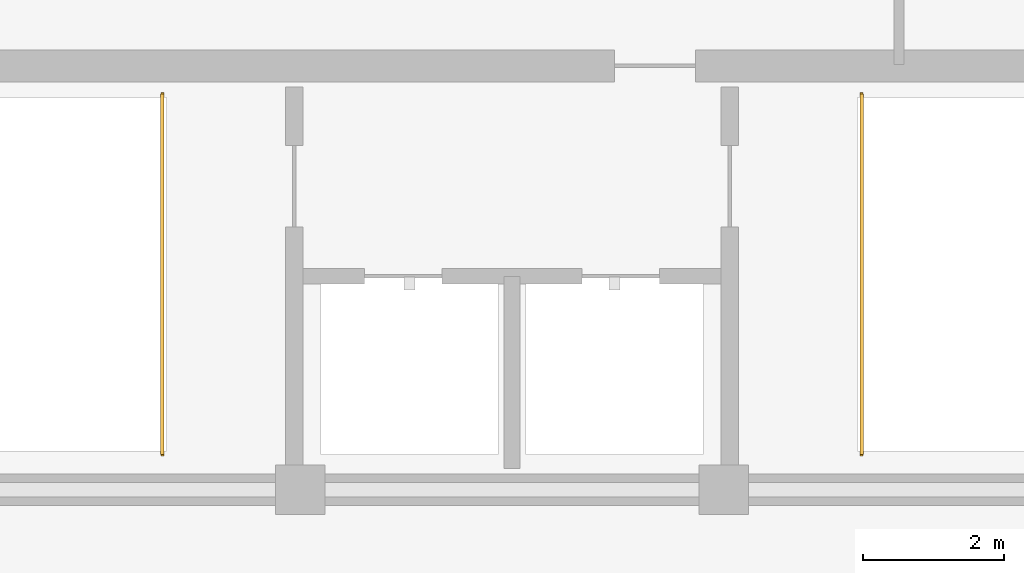
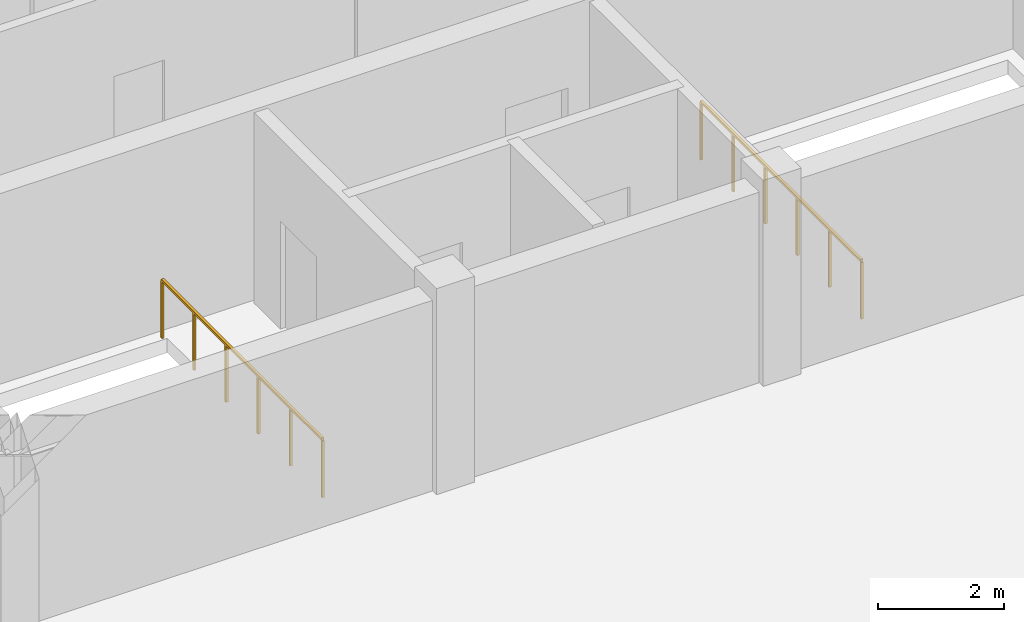
# One storey, part 3 of 4: 2 railings.
"""IFC4 building model written with IfcOpenShell, lengths in metres."""

from ifc_helpers import new_model, si_unit, direction, frame, origin, origin_2d, place, context, subcontext, project, spatial, rectangle, extrude, material, type_object, element, save


model = new_model("IFC4")

# Units and contexts
model_context = context("Model", 3, precision=1e-05, world=origin(), true_north=direction((0.0, 1.0)))
body_context = subcontext(model_context, "Body", "Model", "MODEL_VIEW")
ifc_project = project(units=[si_unit("LENGTHUNIT", "METRE"), si_unit("AREAUNIT", "SQUARE_METRE"), si_unit("VOLUMEUNIT", "CUBIC_METRE"), si_unit("PLANEANGLEUNIT", "RADIAN"), si_unit("MASSUNIT", "GRAM", prefix="KILO")], contexts=[model_context])

# Site, building, storey
site_placement = place(None, origin())
site = spatial("IfcSite", under=ifc_project, at=site_placement, CompositionType="ELEMENT")
building_placement = place(site_placement, origin())
building = spatial("IfcBuilding", under=site, at=building_placement, Name="Kazevale Care Tower and Concert Hall", CompositionType="ELEMENT")
storey_placement = place(building_placement, frame((0.0, 0.0, 308.800048828125)))
storey = spatial("IfcBuildingStorey", under=building, at=storey_placement, Name="L81", CompositionType="ELEMENT", Elevation=308.800048828125)

# Railings
ifc_material = material(Name="Stainless Steel 316", Category="steel")
railing_type = type_object("IfcRailingType", Name="Stair Well Guard Balustrade 1120", PredefinedType="BALUSTRADE", material=ifc_material)
for number, where, name in (
    (1, (28.050048828125, 24.10009765625, 0.0), "rail:L81:ST1:topwell"),
    (2, (37.949951171875, 24.10009765625, 0.0), "rail:L81:ST2:topwell"),
):
    element("IfcRailing", number, at=place(storey_placement, frame(where)), inside=storey, type_object=railing_type, Name=name, PredefinedType="BALUSTRADE", context=body_context, shape_type="SweptSolid", body=[
        extrude(rectangle(XDim=0.048095703125, YDim=0.048095703125, at=origin_2d()), frame((0.0, 0.0, 1.1259765625), z_axis=(0.0, 1.0, 0.0), x_axis=(-1.0, 0.0, 0.0)), (0.0, 0.0, 1.0), 5.099853515625),
        extrude(rectangle(XDim=0.0419921875, YDim=0.0419921875, at=origin_2d()), origin(), (0.0, 0.0, 1.0), 1.101806640625),
        extrude(rectangle(XDim=0.0419921875, YDim=0.0419921875, at=origin_2d()), frame((0.0, 1.02001953125, 0.0)), (0.0, 0.0, 1.0), 1.101806640625),
        extrude(rectangle(XDim=0.0419921875, YDim=0.0419921875, at=origin_2d()), frame((0.0, 2.0400390625, 0.0)), (0.0, 0.0, 1.0), 1.101806640625),
        extrude(rectangle(XDim=0.0419921875, YDim=0.0419921875, at=origin_2d()), frame((0.0, 3.059814453125, 0.0)), (0.0, 0.0, 1.0), 1.101806640625),
        extrude(rectangle(XDim=0.0419921875, YDim=0.0419921875, at=origin_2d()), frame((0.0, 4.079833984375, 0.0)), (0.0, 0.0, 1.0), 1.101806640625),
        extrude(rectangle(XDim=0.0419921875, YDim=0.0419921875, at=origin_2d()), frame((0.0, 5.099853515625, 0.0)), (0.0, 0.0, 1.0), 1.101806640625),
    ])

save(model, "model.ifc")
